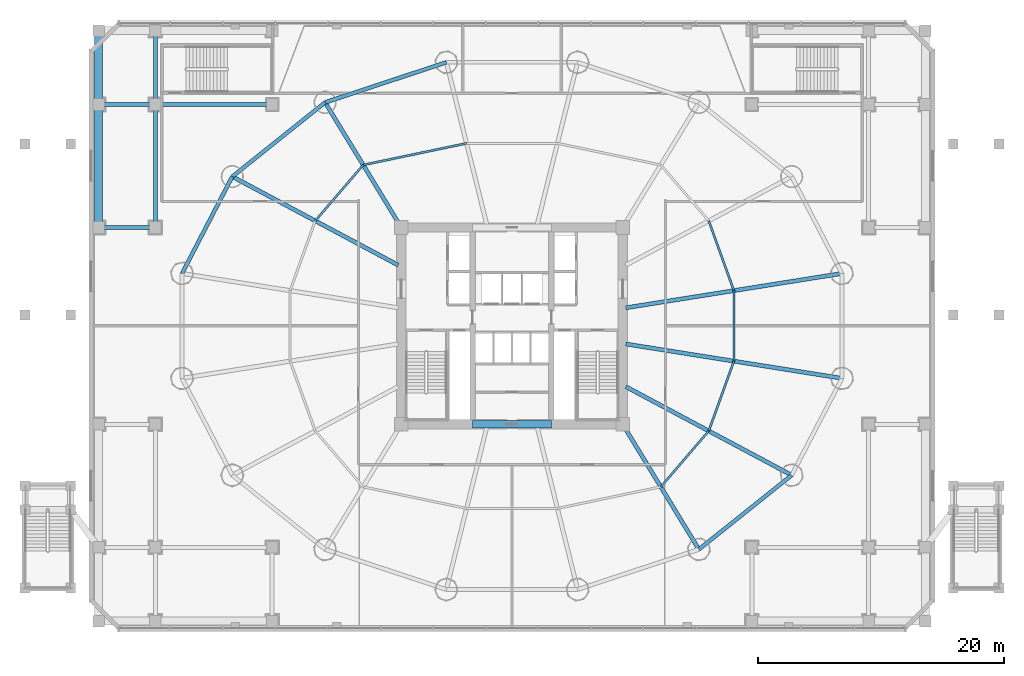
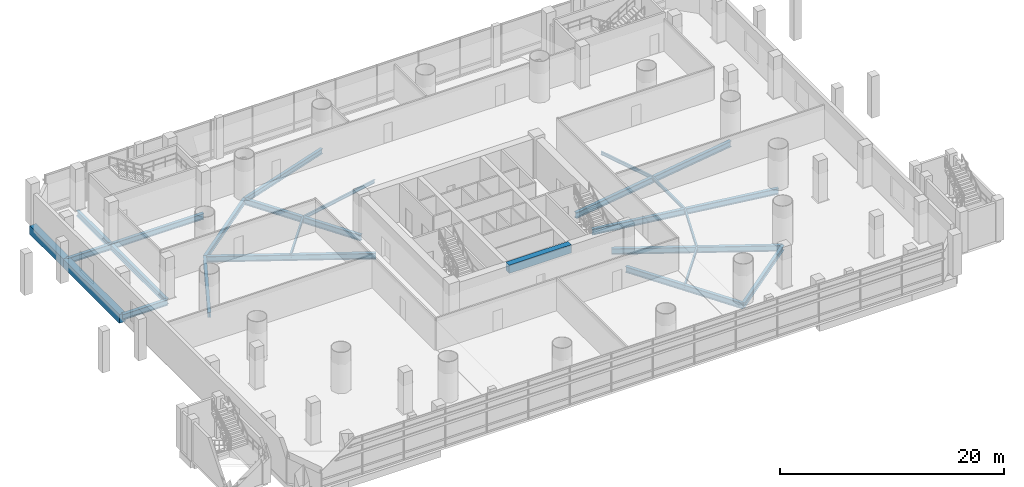
# One storey, part 10 of 36: 24 beams.
"""IFC4 building model written with IfcOpenShell, lengths in metres."""

from ifc_helpers import new_model, si_unit, direction, frame, origin, origin_2d, place, context, subcontext, project, spatial, rectangle, i_section, extrude, material, material_profile, profile_set, type_object, element, save


model = new_model("IFC4")

# Units and contexts
model_context = context("Model", 3, precision=1e-05, world=origin(), true_north=direction((-0.2419218956, 0.970295726276)))
body_context = subcontext(model_context, "Body", "Model", "MODEL_VIEW")
ifc_project = project(units=[si_unit("LENGTHUNIT", "METRE"), si_unit("AREAUNIT", "SQUARE_METRE"), si_unit("VOLUMEUNIT", "CUBIC_METRE"), si_unit("PLANEANGLEUNIT", "RADIAN"), si_unit("MASSUNIT", "GRAM", prefix="KILO")], contexts=[model_context])

# Site, building, storey
site_placement = place(None, origin())
site = spatial("IfcSite", under=ifc_project, at=site_placement, CompositionType="ELEMENT")
building_placement = place(site_placement, origin())
building = spatial("IfcBuilding", under=site, at=building_placement, Name="Cobrevalo Terracotta Tower", CompositionType="ELEMENT")
storey_placement = place(building_placement, frame((0.0, 0.0, 5.39990234375)))
storey = spatial("IfcBuildingStorey", under=building, at=storey_placement, Name="L01", CompositionType="ELEMENT", Elevation=5.39990234375)

# Beams
ifc_material_1 = material(Name="Concrete C60", Category="concrete")
ifc_material_profile_1 = material_profile(ifc_material_1, rectangle(XDim=0.60009765625, YDim=0.89990234375, at=origin_2d()), Name="RC CB 600x900")
ifc_profile_set_1 = profile_set([ifc_material_profile_1], Name="Concrete C60")
beam_type_1 = type_object("IfcBeamType", Name="Structural Beam RC CB 600x900 (Concrete C60)", PredefinedType="BEAM", material=ifc_profile_set_1)
beam_1_placement = place(storey_placement, frame((34.800048828125, 18.800048828125, 3.75), z_axis=(1.0, 0.0, 0.0), x_axis=(0.0, 1.0, 0.0)))
element("IfcBeam", 1, at=beam_1_placement, inside=storey, type_object=beam_type_1, Name="L01 core coupling beam 1", PredefinedType="BEAM", context=body_context, shape_type="SweptSolid", body=[
    extrude(rectangle(XDim=0.60009765625, YDim=0.89990234375, at=origin_2d()), origin(), (0.0, 0.0, 1.0), 6.39990234375),
])
ifc_material_2 = material(Name="Steel S355", Category="steel")
ifc_material_profile_2 = material_profile(ifc_material_2, i_section(OverallWidth=0.324951171875, OverallDepth=0.615966796875, WebThickness=0.013916015625, FlangeThickness=0.021484375, at=origin_2d()), Name="W 610x174")
ifc_profile_set_2 = profile_set([ifc_material_profile_2], Name="Steel S355")
beam_type_2 = type_object("IfcBeamType", Name="Structural Beam W 610x174 (Steel S355)", PredefinedType="BEAM", material=ifc_profile_set_2)
for number, where, z_axis, x_axis, name in (
    (2, (4.39990234375, 34.800048828125, -0.60791015625), (1.0, 0.0, 0.0), (0.0, 1.0, 0.0), "L01 podium grid beam G1-GE to G2-GE"),
    (3, (4.39990234375, 44.800048828125, -0.60791015625), (1.0, 0.0, 0.0), (0.0, 1.0, 0.0), "L01 podium grid beam G1-GF to G2-GF"),
):
    element("IfcBeam", number, at=place(storey_placement, frame(where, z_axis=z_axis, x_axis=x_axis)), inside=storey, type_object=beam_type_2, Name=name, PredefinedType="BEAM", context=body_context, shape_type="SweptSolid", body=[
        extrude(i_section(OverallWidth=0.324951171875, OverallDepth=0.615966796875, WebThickness=0.013916015625, FlangeThickness=0.021484375, at=origin_2d()), origin(), (0.0, 0.0, 1.0), 4.60009765625),
    ])
beam_2_placement = place(storey_placement, frame((9.0, 34.800048828125, -0.60791015625), z_axis=(0.0, 1.0, 0.0), x_axis=(-1.0, 0.0, 0.0)))
element("IfcBeam", 4, at=beam_2_placement, inside=storey, type_object=beam_type_2, Name="L01 podium grid beam G2-GE to G2-GF", PredefinedType="BEAM", context=body_context, shape_type="SweptSolid", body=[
    extrude(i_section(OverallWidth=0.324951171875, OverallDepth=0.615966796875, WebThickness=0.013916015625, FlangeThickness=0.021484375, at=origin_2d()), origin(), (0.0, 0.0, 1.0), 10.0),
])
beam_3_placement = place(storey_placement, frame((9.0, 44.800048828125, -0.60791015625), z_axis=(0.0, 1.0, 0.0), x_axis=(-1.0, 0.0, 0.0)))
element("IfcBeam", 5, at=beam_3_placement, inside=storey, type_object=beam_type_2, Name="L01 podium grid beam G2-GF to G2-GG", PredefinedType="BEAM", context=body_context, shape_type="SweptSolid", body=[
    extrude(i_section(OverallWidth=0.324951171875, OverallDepth=0.615966796875, WebThickness=0.013916015625, FlangeThickness=0.021484375, at=origin_2d()), origin(), (0.0, 0.0, 1.0), 6.0),
])
beam_4_placement = place(storey_placement, frame((9.0, 44.800048828125, -0.60791015625), z_axis=(1.0, 0.0, 0.0), x_axis=(0.0, 1.0, 0.0)))
element("IfcBeam", 6, at=beam_4_placement, inside=storey, type_object=beam_type_2, Name="L01 podium grid beam G2-GF to G3-GF", PredefinedType="BEAM", context=body_context, shape_type="SweptSolid", body=[
    extrude(i_section(OverallWidth=0.324951171875, OverallDepth=0.615966796875, WebThickness=0.013916015625, FlangeThickness=0.021484375, at=origin_2d()), origin(), (0.0, 0.0, 1.0), 9.5),
])
ifc_material_profile_3 = material_profile(ifc_material_2, i_section(OverallWidth=0.3291015625, OverallDepth=0.635009765625, WebThickness=0.017822265625, FlangeThickness=0.031005859375, at=origin_2d()), Name="W 610x241")
ifc_profile_set_3 = profile_set([ifc_material_profile_3], Name="Steel S355")
beam_type_3 = type_object("IfcBeamType", Name="Structural Beam W 610x241 (Steel S355)", PredefinedType="BEAM", material=ifc_profile_set_3)
beam_5_placement = place(storey_placement, frame((64.824462890625, 31.062744140625, -0.617431640625), z_axis=(-0.987607924622, -0.156941349628, 0.0), x_axis=(0.156941349628, -0.987607924622, 0.0)))
element("IfcBeam", 7, at=beam_5_placement, inside=storey, type_object=beam_type_3, Name="L01 radial floor girder 01", PredefinedType="BEAM", context=body_context, shape_type="SweptSolid", body=[
    extrude(i_section(OverallWidth=0.3291015625, OverallDepth=0.635009765625, WebThickness=0.017822265625, FlangeThickness=0.031005859375, at=origin_2d()), origin(), (0.0, 0.0, 1.0), 17.7900390625),
])
beam_6_placement = place(storey_placement, frame((22.80517578125, 44.967529296875, -0.617431640625), z_axis=(0.520309892051, -0.853977526773, 0.0), x_axis=(0.853977526773, 0.520309892051, 0.0)))
element("IfcBeam", 8, at=beam_6_placement, inside=storey, type_object=beam_type_3, Name="L01 radial floor girder 06", PredefinedType="BEAM", context=body_context, shape_type="SweptSolid", body=[
    extrude(i_section(OverallWidth=0.3291015625, OverallDepth=0.635009765625, WebThickness=0.017822265625, FlangeThickness=0.031005859375, at=origin_2d()), origin(), (0.0, 0.0, 1.0), 11.906005859375),
])
beam_7_placement = place(storey_placement, frame((15.25927734375, 38.939208984375, -0.617431640625), z_axis=(0.88218223571, -0.470908168329, 0.0), x_axis=(0.470908168329, 0.88218223571, 0.0)))
element("IfcBeam", 9, at=beam_7_placement, inside=storey, type_object=beam_type_3, Name="L01 radial floor girder 07", PredefinedType="BEAM", context=body_context, shape_type="SweptSolid", body=[
    extrude(i_section(OverallWidth=0.3291015625, OverallDepth=0.635009765625, WebThickness=0.017822265625, FlangeThickness=0.031005859375, at=origin_2d()), origin(), (0.0, 0.0, 1.0), 15.286865234375),
])
beam_8_placement = place(storey_placement, frame((53.19482421875, 8.63232421875, -0.617431640625), z_axis=(-0.520300780853, 0.853983077961, 0.0), x_axis=(-0.853983077961, -0.520300780853, 0.0)))
element("IfcBeam", 10, at=beam_8_placement, inside=storey, type_object=beam_type_3, Name="L01 radial floor girder 14", PredefinedType="BEAM", context=body_context, shape_type="SweptSolid", body=[
    extrude(i_section(OverallWidth=0.3291015625, OverallDepth=0.635009765625, WebThickness=0.017822265625, FlangeThickness=0.031005859375, at=origin_2d()), origin(), (0.0, 0.0, 1.0), 11.90625),
])
beam_9_placement = place(storey_placement, frame((60.74072265625, 14.660888671875, -0.617431640625), z_axis=(-0.88218223571, 0.470908168329, 0.0), x_axis=(-0.470908168329, -0.88218223571, 0.0)))
element("IfcBeam", 11, at=beam_9_placement, inside=storey, type_object=beam_type_3, Name="L01 radial floor girder 15", PredefinedType="BEAM", context=body_context, shape_type="SweptSolid", body=[
    extrude(i_section(OverallWidth=0.3291015625, OverallDepth=0.635009765625, WebThickness=0.017822265625, FlangeThickness=0.031005859375, at=origin_2d()), origin(), (0.0, 0.0, 1.0), 15.286865234375),
])
beam_10_placement = place(storey_placement, frame((64.824462890625, 22.537353515625, -0.617431640625), z_axis=(-0.987607924622, 0.156941349628, 0.0), x_axis=(-0.156941349628, -0.987607924622, 0.0)))
element("IfcBeam", 12, at=beam_10_placement, inside=storey, type_object=beam_type_3, Name="L01 radial floor girder 16", PredefinedType="BEAM", context=body_context, shape_type="SweptSolid", body=[
    extrude(i_section(OverallWidth=0.3291015625, OverallDepth=0.635009765625, WebThickness=0.017822265625, FlangeThickness=0.031005859375, at=origin_2d()), origin(), (0.0, 0.0, 1.0), 17.7900390625),
])
ifc_material_profile_4 = material_profile(ifc_material_2, i_section(OverallWidth=0.1708984375, OverallDepth=0.35498046875, WebThickness=0.007080078125, FlangeThickness=0.01171875, at=origin_2d()), Name="W 360x51")
ifc_profile_set_4 = profile_set([ifc_material_profile_4], Name="Steel S355")
beam_type_4 = type_object("IfcBeamType", Name="Structural Joist W 360x51 (Steel S355)", PredefinedType="JOIST", material=ifc_profile_set_4)
beam_11_placement = place(storey_placement, frame((56.039794921875, 29.666748046875, -0.477294921875), z_axis=(-0.338672151116, 0.940904444701, 0.0), x_axis=(-0.940904444701, -0.338672151116, 0.0)))
element("IfcBeam", 13, at=beam_11_placement, inside=storey, type_object=beam_type_4, Name="L01 circumferential secondary floor joist 01", PredefinedType="JOIST", context=body_context, shape_type="SweptSolid", body=[
    extrude(i_section(OverallWidth=0.1708984375, OverallDepth=0.35498046875, WebThickness=0.007080078125, FlangeThickness=0.01171875, at=origin_2d()), origin(), (0.0, 0.0, 1.0), 6.029296875),
])
beam_12_placement = place(storey_placement, frame((34.304443359375, 41.642578125, -0.477294921875), z_axis=(-0.978784523904, -0.204892302848, 0.0), x_axis=(0.204892302848, -0.978784523904, 0.0)))
element("IfcBeam", 14, at=beam_12_placement, inside=storey, type_object=beam_type_4, Name="L01 circumferential secondary floor joist 05", PredefinedType="JOIST", context=body_context, shape_type="SweptSolid", body=[
    extrude(i_section(OverallWidth=0.1708984375, OverallDepth=0.35498046875, WebThickness=0.007080078125, FlangeThickness=0.01171875, at=origin_2d()), origin(), (0.0, 0.0, 1.0), 8.583984375),
])
for number, where, z_axis, x_axis, name in (
    (15, (25.902587890625, 39.8837890625, -0.477294921875), (-0.651328404454, -0.758795960421, 0.0), (0.758795960421, -0.651328404454, 0.0), "L01 circumferential secondary floor joist 06"),
    (16, (50.097412109375, 13.71630859375, -0.477294921875), (0.651328404454, 0.758795960421, 0.0), (-0.758795960421, 0.651328404454, 0.0), "L01 circumferential secondary floor joist 14"),
):
    element("IfcBeam", number, at=place(storey_placement, frame(where, z_axis=z_axis, x_axis=x_axis)), inside=storey, type_object=beam_type_4, Name=name, PredefinedType="JOIST", context=body_context, shape_type="SweptSolid", body=[
        extrude(i_section(OverallWidth=0.1708984375, OverallDepth=0.35498046875, WebThickness=0.007080078125, FlangeThickness=0.01171875, at=origin_2d()), origin(), (0.0, 0.0, 1.0), 5.98828125),
    ])
beam_13_placement = place(storey_placement, frame((53.997802734375, 18.26025390625, -0.477294921875), z_axis=(0.338672151116, 0.940904444701, 0.0), x_axis=(-0.940904444701, 0.338672151116, 0.0)))
element("IfcBeam", 17, at=beam_13_placement, inside=storey, type_object=beam_type_4, Name="L01 circumferential secondary floor joist 15", PredefinedType="JOIST", context=body_context, shape_type="SweptSolid", body=[
    extrude(i_section(OverallWidth=0.1708984375, OverallDepth=0.35498046875, WebThickness=0.007080078125, FlangeThickness=0.01171875, at=origin_2d()), origin(), (0.0, 0.0, 1.0), 6.029296875),
])
beam_14_placement = place(storey_placement, frame((56.039794921875, 23.933349609375, -0.477294921875), z_axis=(0.0, 1.0, 0.0), x_axis=(-1.0, 0.0, 0.0)))
element("IfcBeam", 18, at=beam_14_placement, inside=storey, type_object=beam_type_4, Name="L01 circumferential secondary floor joist 16", PredefinedType="JOIST", context=body_context, shape_type="SweptSolid", body=[
    extrude(i_section(OverallWidth=0.1708984375, OverallDepth=0.35498046875, WebThickness=0.007080078125, FlangeThickness=0.01171875, at=origin_2d()), origin(), (0.0, 0.0, 1.0), 5.7333984375),
])
ifc_material_3 = material(Name="Concrete C50", Category="concrete")
ifc_material_profile_5 = material_profile(ifc_material_3, rectangle(XDim=0.64990234375, YDim=0.949951171875, at=origin_2d()), Name="RC BM 650x950")
ifc_profile_set_5 = profile_set([ifc_material_profile_5], Name="Concrete C50")
beam_type_5 = type_object("IfcBeamType", Name="Structural Spandrel RC BM 650x950 (Concrete C50)", PredefinedType="SPANDREL", material=ifc_profile_set_5)
beam_15_placement = place(storey_placement, frame((4.39990234375, 34.800048828125, -0.77490234375), z_axis=(0.0, 1.0, 0.0), x_axis=(-1.0, 0.0, 0.0)))
element("IfcBeam", 19, at=beam_15_placement, inside=storey, type_object=beam_type_5, Name="L01 podium grid beam G1-GE to G1-GF", PredefinedType="SPANDREL", context=body_context, shape_type="SweptSolid", body=[
    extrude(rectangle(XDim=0.64990234375, YDim=0.949951171875, at=origin_2d()), origin(), (0.0, 0.0, 1.0), 10.0),
])
beam_16_placement = place(storey_placement, frame((4.39990234375, 44.800048828125, -0.77490234375), z_axis=(0.0, 1.0, 0.0), x_axis=(-1.0, 0.0, 0.0)))
element("IfcBeam", 20, at=beam_16_placement, inside=storey, type_object=beam_type_5, Name="L01 podium grid beam G1-GF to G1-GG", PredefinedType="SPANDREL", context=body_context, shape_type="SweptSolid", body=[
    extrude(rectangle(XDim=0.64990234375, YDim=0.949951171875, at=origin_2d()), origin(), (0.0, 0.0, 1.0), 6.0),
])
ifc_material_profile_6 = material_profile(ifc_material_2, i_section(OverallWidth=0.31201171875, OverallDepth=0.54296875, WebThickness=0.0126953125, FlangeThickness=0.020263671875, at=origin_2d()), Name="W 530x150")
ifc_profile_set_6 = profile_set([ifc_material_profile_6], Name="Steel S355")
beam_type_6 = type_object("IfcBeamType", Name="Structural Spandrel W 530x150 (Steel S355)", PredefinedType="SPANDREL", material=ifc_profile_set_6)
beam_17_placement = place(storey_placement, frame((32.664306640625, 48.230224609375, -0.5712890625), z_axis=(-0.949365190876, -0.314174687638, 0.0), x_axis=(0.314174687638, -0.949365190876, 0.0)))
element("IfcBeam", 21, at=beam_17_placement, inside=storey, type_object=beam_type_6, Name="L01 perimeter ring spandrel 05", PredefinedType="SPANDREL", context=body_context, shape_type="SweptSolid", body=[
    extrude(i_section(OverallWidth=0.31201171875, OverallDepth=0.54296875, WebThickness=0.0126953125, FlangeThickness=0.020263671875, at=origin_2d()), origin(), (0.0, 0.0, 1.0), 10.385009765625),
])
beam_18_placement = place(storey_placement, frame((22.80517578125, 44.967529296875, -0.5712890625), z_axis=(-0.781292806807, -0.62416468182, 0.0), x_axis=(0.62416468182, -0.781292806807, 0.0)))
element("IfcBeam", 22, at=beam_18_placement, inside=storey, type_object=beam_type_6, Name="L01 perimeter ring spandrel 06", PredefinedType="SPANDREL", context=body_context, shape_type="SweptSolid", body=[
    extrude(i_section(OverallWidth=0.31201171875, OverallDepth=0.54296875, WebThickness=0.0126953125, FlangeThickness=0.020263671875, at=origin_2d()), origin(), (0.0, 0.0, 1.0), 9.658203125),
])
beam_19_placement = place(storey_placement, frame((15.25927734375, 38.939208984375, -0.5712890625), z_axis=(-0.460285838799, -0.88777077368, 0.0), x_axis=(0.88777077368, -0.460285838799, 0.0)))
element("IfcBeam", 23, at=beam_19_placement, inside=storey, type_object=beam_type_6, Name="L01 perimeter ring spandrel 07", PredefinedType="SPANDREL", context=body_context, shape_type="SweptSolid", body=[
    extrude(i_section(OverallWidth=0.31201171875, OverallDepth=0.54296875, WebThickness=0.0126953125, FlangeThickness=0.020263671875, at=origin_2d()), origin(), (0.0, 0.0, 1.0), 8.8720703125),
])
beam_20_placement = place(storey_placement, frame((53.19482421875, 8.63232421875, -0.5712890625), z_axis=(0.781280479891, 0.62418011162, 0.0), x_axis=(-0.62418011162, 0.781280479891, 0.0)))
element("IfcBeam", 24, at=beam_20_placement, inside=storey, type_object=beam_type_6, Name="L01 perimeter ring spandrel 14", PredefinedType="SPANDREL", context=body_context, shape_type="SweptSolid", body=[
    extrude(i_section(OverallWidth=0.31201171875, OverallDepth=0.54296875, WebThickness=0.0126953125, FlangeThickness=0.020263671875, at=origin_2d()), origin(), (0.0, 0.0, 1.0), 9.658447265625),
])

save(model, "model.ifc")
